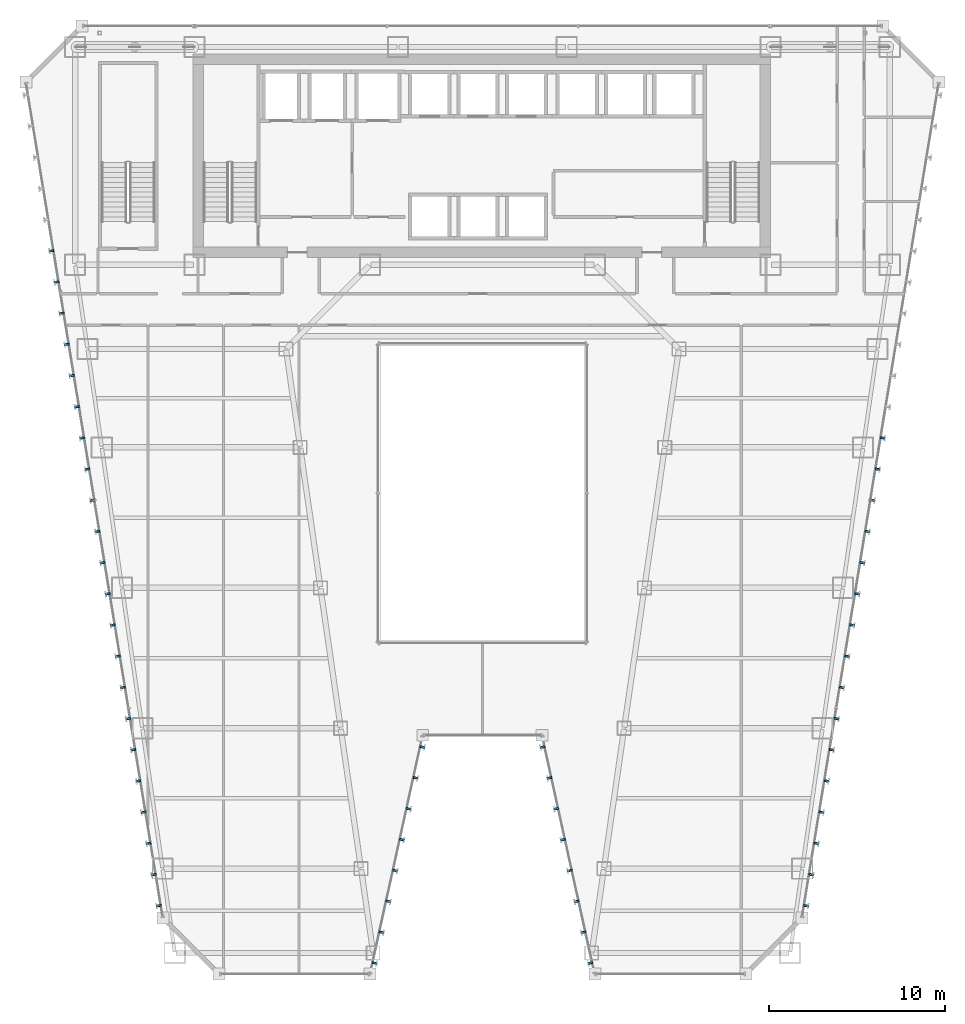
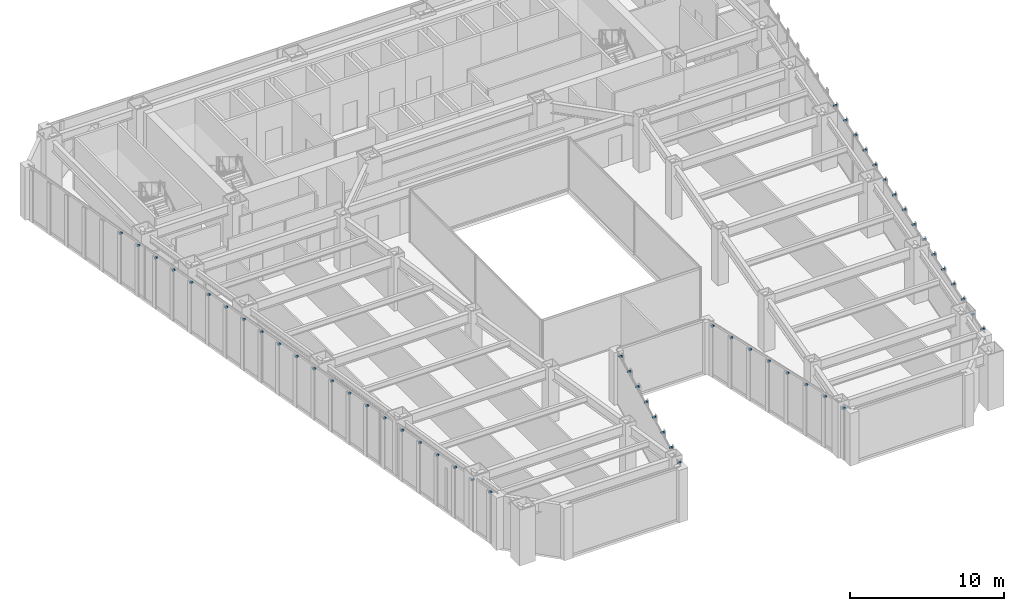
# One storey, part 39 of 47: 54 discrete accessories.
"""IFC4 building model written with IfcOpenShell, lengths in metres."""

from ifc_helpers import new_model, si_unit, direction, frame, origin, origin_2d, place, context, subcontext, project, spatial, rectangle, extrude, material, layer, layer_set, type_object, element, save


model = new_model("IFC4")

# Units and contexts
model_context = context("Model", 3, precision=1e-05, world=origin(), true_north=direction((0.0, 1.0)))
body_context = subcontext(model_context, "Body", "Model", "MODEL_VIEW")
ifc_project = project(units=[si_unit("LENGTHUNIT", "METRE"), si_unit("AREAUNIT", "SQUARE_METRE"), si_unit("VOLUMEUNIT", "CUBIC_METRE"), si_unit("PLANEANGLEUNIT", "RADIAN"), si_unit("MASSUNIT", "GRAM", prefix="KILO")], contexts=[model_context])

# Site, building, storey
site_placement = place(None, origin())
site = spatial("IfcSite", under=ifc_project, at=site_placement, CompositionType="ELEMENT")
building_placement = place(site_placement, origin())
building = spatial("IfcBuilding", under=site, at=building_placement, Name="Saevonmaru Cultural Tower", CompositionType="ELEMENT")
storey_placement = place(building_placement, frame((0.0, 0.0, 78.0)))
storey = spatial("IfcBuildingStorey", under=building, at=storey_placement, Name="L16", CompositionType="ELEMENT", Elevation=78.0)

# Discrete accessories
ifc_material = material(Name="Stainless Steel 316", Category="steel")
ifc_layer = layer(ifc_material, 0.1201171875, Name="Stainless Steel 316")
ifc_layer_set = layer_set([ifc_layer], Name="Stainless Steel 316")
discrete_accessory_type = type_object("IfcDiscreteAccessoryType", Name="ACC-FIN-BRKT", PredefinedType="BRACKET", material=ifc_layer_set)
for number, where, z_axis, x_axis, name in (
    (1, (23.850341796875, 2.624267578125, 3.929931640625), (0.0, 0.0, 1.0), (0.976522126798, -0.215417120661, 0.0), "L16 Bronze Fin Bracket E3-01"),
    (2, (24.238037109375, 4.3818359375, 3.929931640625), (0.0, 0.0, 1.0), (0.976522126798, -0.215417120661, 0.0), "L16 Bronze Fin Bracket E3-02"),
    (3, (24.625732421875, 6.1396484375, 3.929931640625), (0.0, 0.0, 1.0), (0.976522126798, -0.215417120661, 0.0), "L16 Bronze Fin Bracket E3-03"),
    (4, (25.013427734375, 7.8974609375, 3.929931640625), (0.0, 0.0, 1.0), (0.976522126798, -0.215417120661, 0.0), "L16 Bronze Fin Bracket E3-04"),
    (5, (25.4013671875, 9.6552734375, 3.929931640625), (0.0, 0.0, 1.0), (0.976522126798, -0.215417120661, 0.0), "L16 Bronze Fin Bracket E3-05"),
    (6, (25.7890625, 11.412841796875, 3.929931640625), (0.0, 0.0, 1.0), (0.976522126798, -0.215417120661, 0.0), "L16 Bronze Fin Bracket E3-06"),
    (7, (26.1767578125, 13.170654296875, 3.929931640625), (0.0, 0.0, 1.0), (0.976522126798, -0.215417120661, 0.0), "L16 Bronze Fin Bracket E3-07"),
    (8, (26.564453125, 14.928466796875, 3.929931640625), (0.0, 0.0, 1.0), (0.976522126798, -0.215417120661, 0.0), "L16 Bronze Fin Bracket E3-08"),
    (9, (33.435546875, 14.928466796875, 3.929931640625), (0.0, 0.0, 1.0), (-0.976522126798, -0.215417120661, 0.0), "L16 Bronze Fin Bracket E5-01"),
    (10, (33.8232421875, 13.170654296875, 3.929931640625), (0.0, 0.0, 1.0), (-0.976522126798, -0.215417120661, 0.0), "L16 Bronze Fin Bracket E5-02"),
    (11, (34.2109375, 11.412841796875, 3.929931640625), (0.0, 0.0, 1.0), (-0.976522126798, -0.215417120661, 0.0), "L16 Bronze Fin Bracket E5-03"),
    (12, (34.5986328125, 9.6552734375, 3.929931640625), (0.0, 0.0, 1.0), (-0.976522126798, -0.215417120661, 0.0), "L16 Bronze Fin Bracket E5-04"),
    (13, (34.986572265625, 7.8974609375, 3.929931640625), (0.0, 0.0, 1.0), (-0.976522126798, -0.215417120661, 0.0), "L16 Bronze Fin Bracket E5-05"),
    (14, (35.374267578125, 6.1396484375, 3.929931640625), (0.0, 0.0, 1.0), (-0.976522126798, -0.215417120661, 0.0), "L16 Bronze Fin Bracket E5-06"),
    (15, (35.761962890625, 4.3818359375, 3.929931640625), (0.0, 0.0, 1.0), (-0.976522126798, -0.215417120661, 0.0), "L16 Bronze Fin Bracket E5-07"),
    (16, (36.149658203125, 2.624267578125, 3.929931640625), (0.0, 0.0, 1.0), (-0.976522126798, -0.215417120661, 0.0), "L16 Bronze Fin Bracket E5-08"),
    (17, (48.424560546875, 5.89013671875, 3.929931640625), (0.0, 0.0, 1.0), (0.986827496189, -0.161776057456, 0.0), "L16 Bronze Fin Bracket E8-01"),
    (18, (48.715576171875, 7.66650390625, 3.929931640625), (0.0, 0.0, 1.0), (0.986827496189, -0.161776057456, 0.0), "L16 Bronze Fin Bracket E8-02"),
    (19, (49.006591796875, 9.44287109375, 3.929931640625), (0.0, 0.0, 1.0), (0.986827496189, -0.161776057456, 0.0), "L16 Bronze Fin Bracket E8-03"),
    (20, (49.2978515625, 11.218994140625, 3.929931640625), (0.0, 0.0, 1.0), (0.986827496189, -0.161776057456, 0.0), "L16 Bronze Fin Bracket E8-04"),
    (21, (49.5888671875, 12.995361328125, 3.929931640625), (0.0, 0.0, 1.0), (0.986827496189, -0.161776057456, 0.0), "L16 Bronze Fin Bracket E8-05"),
    (22, (49.8798828125, 14.771728515625, 3.929931640625), (0.0, 0.0, 1.0), (0.986827496189, -0.161776057456, 0.0), "L16 Bronze Fin Bracket E8-06"),
    (23, (50.1708984375, 16.548095703125, 3.929931640625), (0.0, 0.0, 1.0), (0.986827496189, -0.161776057456, 0.0), "L16 Bronze Fin Bracket E8-07"),
    (24, (50.462158203125, 18.324462890625, 3.929931640625), (0.0, 0.0, 1.0), (0.986827496189, -0.161776057456, 0.0), "L16 Bronze Fin Bracket E8-08"),
    (25, (50.753173828125, 20.1005859375, 3.929931640625), (0.0, 0.0, 1.0), (0.986827496189, -0.161776057456, 0.0), "L16 Bronze Fin Bracket E8-09"),
    (26, (51.044189453125, 21.876953125, 3.929931640625), (0.0, 0.0, 1.0), (0.986827496189, -0.161776057456, 0.0), "L16 Bronze Fin Bracket E8-10"),
    (27, (51.335205078125, 23.6533203125, 3.929931640625), (0.0, 0.0, 1.0), (0.986827496189, -0.161776057456, 0.0), "L16 Bronze Fin Bracket E8-11"),
    (28, (51.62646484375, 25.4296875, 3.929931640625), (0.0, 0.0, 1.0), (0.986827496189, -0.161776057456, 0.0), "L16 Bronze Fin Bracket E8-12"),
    (29, (51.91748046875, 27.205810546875, 3.929931640625), (0.0, 0.0, 1.0), (0.986827496189, -0.161776057456, 0.0), "L16 Bronze Fin Bracket E8-13"),
    (30, (52.20849609375, 28.982177734375, 3.929931640625), (0.0, 0.0, 1.0), (0.986827496189, -0.161776057456, 0.0), "L16 Bronze Fin Bracket E8-14"),
    (31, (52.49951171875, 30.758544921875, 3.929931640625), (0.0, 0.0, 1.0), (0.986827496189, -0.161776057456, 0.0), "L16 Bronze Fin Bracket E8-15"),
    (32, (52.790771484375, 32.534912109375, 3.929931640625), (0.0, 0.0, 1.0), (0.986827496189, -0.161776057456, 0.0), "L16 Bronze Fin Bracket E8-16"),
    (33, (5.462890625, 43.192626953125, 3.929931640625), (0.0, 0.0, 1.0), (-0.986827496189, -0.161776057456, 0.0), "L16 Bronze Fin Bracket E12-06"),
    (34, (5.75390625, 41.41650390625, 3.929931640625), (0.0, 0.0, 1.0), (-0.986827496189, -0.161776057456, 0.0), "L16 Bronze Fin Bracket E12-07"),
    (35, (6.044921875, 39.64013671875, 3.929931640625), (0.0, 0.0, 1.0), (-0.986827496189, -0.161776057456, 0.0), "L16 Bronze Fin Bracket E12-08"),
    (36, (6.336181640625, 37.86376953125, 3.929931640625), (0.0, 0.0, 1.0), (-0.986827496189, -0.161776057456, 0.0), "L16 Bronze Fin Bracket E12-09"),
    (37, (6.627197265625, 36.08740234375, 3.929931640625), (0.0, 0.0, 1.0), (-0.986827496189, -0.161776057456, 0.0), "L16 Bronze Fin Bracket E12-10"),
    (38, (6.918212890625, 34.31103515625, 3.929931640625), (0.0, 0.0, 1.0), (-0.986827496189, -0.161776057456, 0.0), "L16 Bronze Fin Bracket E12-11"),
    (39, (7.209228515625, 32.534912109375, 3.929931640625), (0.0, 0.0, 1.0), (-0.986827496189, -0.161776057456, 0.0), "L16 Bronze Fin Bracket E12-12"),
    (40, (7.50048828125, 30.758544921875, 3.929931640625), (0.0, 0.0, 1.0), (-0.986827496189, -0.161776057456, 0.0), "L16 Bronze Fin Bracket E12-13"),
    (41, (7.79150390625, 28.982177734375, 3.929931640625), (0.0, 0.0, 1.0), (-0.986827496189, -0.161776057456, 0.0), "L16 Bronze Fin Bracket E12-14"),
    (42, (8.08251953125, 27.205810546875, 3.929931640625), (0.0, 0.0, 1.0), (-0.986827496189, -0.161776057456, 0.0), "L16 Bronze Fin Bracket E12-15"),
    (43, (8.37353515625, 25.4296875, 3.929931640625), (0.0, 0.0, 1.0), (-0.986827496189, -0.161776057456, 0.0), "L16 Bronze Fin Bracket E12-16"),
    (44, (8.664794921875, 23.6533203125, 3.929931640625), (0.0, 0.0, 1.0), (-0.986827496189, -0.161776057456, 0.0), "L16 Bronze Fin Bracket E12-17"),
    (45, (8.955810546875, 21.876953125, 3.929931640625), (0.0, 0.0, 1.0), (-0.986827496189, -0.161776057456, 0.0), "L16 Bronze Fin Bracket E12-18"),
    (46, (9.246826171875, 20.1005859375, 3.929931640625), (0.0, 0.0, 1.0), (-0.986827496189, -0.161776057456, 0.0), "L16 Bronze Fin Bracket E12-19"),
    (47, (9.537841796875, 18.324462890625, 3.929931640625), (0.0, 0.0, 1.0), (-0.986827496189, -0.161776057456, 0.0), "L16 Bronze Fin Bracket E12-20"),
    (48, (9.8291015625, 16.548095703125, 3.929931640625), (0.0, 0.0, 1.0), (-0.986827496189, -0.161776057456, 0.0), "L16 Bronze Fin Bracket E12-21"),
    (49, (10.1201171875, 14.771728515625, 3.929931640625), (0.0, 0.0, 1.0), (-0.986827496189, -0.161776057456, 0.0), "L16 Bronze Fin Bracket E12-22"),
    (50, (10.4111328125, 12.995361328125, 3.929931640625), (0.0, 0.0, 1.0), (-0.986827496189, -0.161776057456, 0.0), "L16 Bronze Fin Bracket E12-23"),
    (51, (10.7021484375, 11.218994140625, 3.929931640625), (0.0, 0.0, 1.0), (-0.986827496189, -0.161776057456, 0.0), "L16 Bronze Fin Bracket E12-24"),
    (52, (10.993408203125, 9.44287109375, 3.929931640625), (0.0, 0.0, 1.0), (-0.986827496189, -0.161776057456, 0.0), "L16 Bronze Fin Bracket E12-25"),
    (53, (11.284423828125, 7.66650390625, 3.929931640625), (0.0, 0.0, 1.0), (-0.986827496189, -0.161776057456, 0.0), "L16 Bronze Fin Bracket E12-26"),
    (54, (11.575439453125, 5.89013671875, 3.929931640625), (0.0, 0.0, 1.0), (-0.986827496189, -0.161776057456, 0.0), "L16 Bronze Fin Bracket E12-27"),
):
    element("IfcDiscreteAccessory", number, at=place(storey_placement, frame(where, z_axis=z_axis, x_axis=x_axis)), inside=storey, type_object=discrete_accessory_type, Name=name, PredefinedType="BRACKET", context=body_context, shape_type="SweptSolid", body=[
        extrude(rectangle(XDim=0.260009765625, YDim=0.1201171875, at=origin_2d()), origin(), (0.0, 0.0, 1.0), 0.1201171875),
    ])

save(model, "model.ifc")
